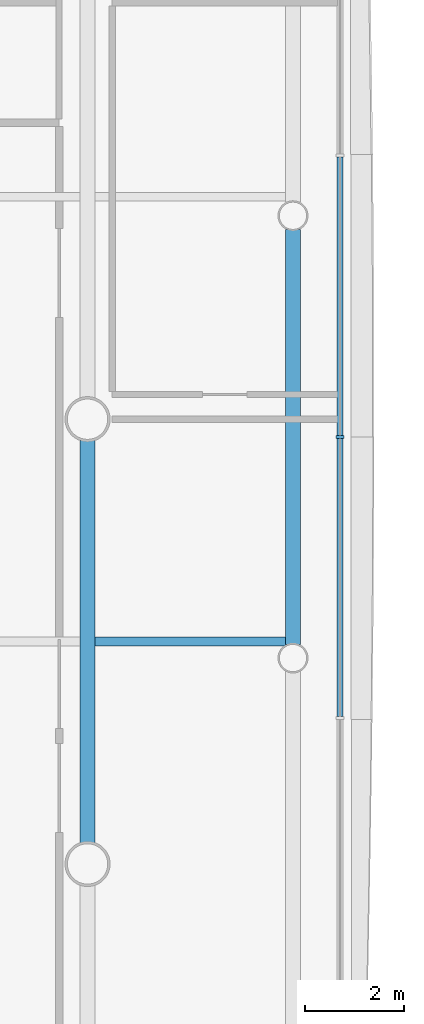
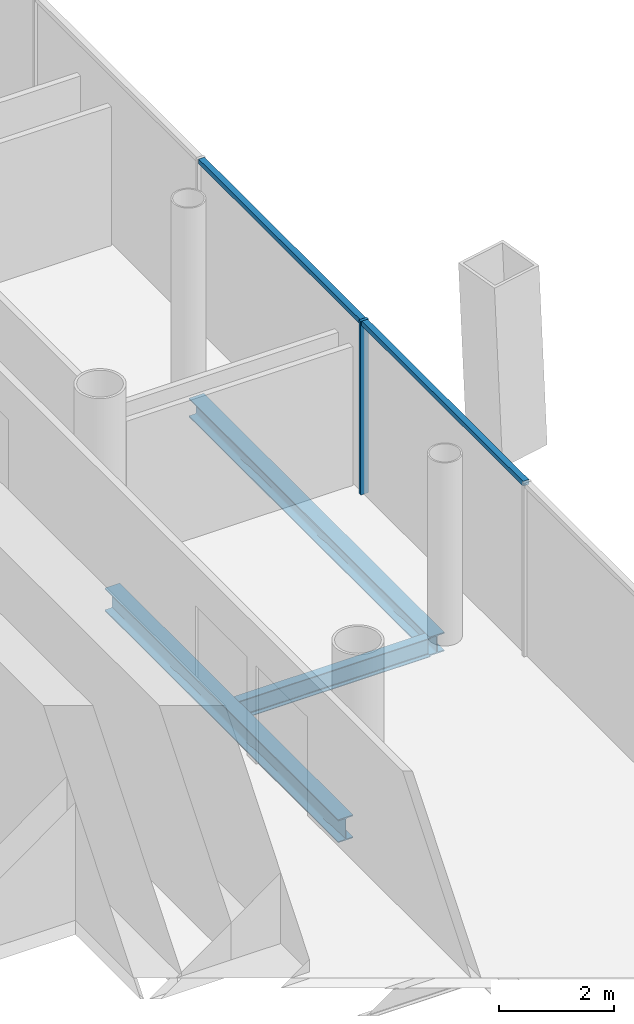
# One storey, part 6 of 20: 3 beams, 3 members, 1 element without a shape of its own.
"""IFC4 building model written with IfcOpenShell, lengths in metres."""

from ifc_helpers import new_model, si_unit, direction, frame, origin, origin_2d, place, context, subcontext, project, spatial, rectangle, i_section, extrude, material, material_profile, profile_set, type_object, element, aggregate, save


model = new_model("IFC4")

# Units and contexts
model_context = context("Model", 3, precision=1e-05, world=origin(), true_north=direction((0.0, 1.0)))
body_context = subcontext(model_context, "Body", "Model", "MODEL_VIEW")
ifc_project = project(units=[si_unit("LENGTHUNIT", "METRE"), si_unit("AREAUNIT", "SQUARE_METRE"), si_unit("VOLUMEUNIT", "CUBIC_METRE"), si_unit("PLANEANGLEUNIT", "RADIAN"), si_unit("MASSUNIT", "GRAM", prefix="KILO")], contexts=[model_context])

# Site, building, storey
site_placement = place(None, origin())
site = spatial("IfcSite", under=ifc_project, at=site_placement, CompositionType="ELEMENT")
building_placement = place(site_placement, origin())
building = spatial("IfcBuilding", under=site, at=building_placement, Name="Tskaro Facet Tower", CompositionType="ELEMENT")
storey_placement = place(building_placement, frame((0.0, 0.0, 49.800048828125)))
storey = spatial("IfcBuildingStorey", under=building, at=storey_placement, Name="L11", CompositionType="ELEMENT", Elevation=49.800048828125)

# Curtain wall, members
ifc_material_1 = material(Name="Bronze anodised aluminium 6063-T6", Category="aluminium")
curtain_wall_type = type_object("IfcCurtainWallType", Name="Bronze office curtain wall (FW1)", PredefinedType="NOTDEFINED", material=ifc_material_1)
curtain_wall_placement = place(storey_placement, origin())
curtain_wall = element("IfcCurtainWall", 1, at=curtain_wall_placement, inside=storey, type_object=curtain_wall_type, Name="FW1 east facet L11", PredefinedType="NOTDEFINED")
ifc_material_profile_1 = material_profile(ifc_material_1, rectangle(XDim=0.06005859375, YDim=0.159912109375, at=origin_2d()), Name="Mullion 60x160")
ifc_profile_set_1 = profile_set([ifc_material_profile_1], Name="Bronze anodised aluminium 6063-T6")
member_type_1 = type_object("IfcMemberType", Name="FW1 bronze mullion 60x160", PredefinedType="MULLION", material=ifc_profile_set_1)
member_1_placement = place(storey_placement, frame((23.10693359375, -0.3583984375, 0.0), z_axis=(0.0, 0.0, 1.0), x_axis=(0.0, 1.0, 0.0)))
member_1 = element("IfcMember", 2, at=member_1_placement, type_object=member_type_1, Name="FW1 east mullion 4", PredefinedType="MULLION", context=body_context, shape_type="SweptSolid", body=[
    extrude(rectangle(XDim=0.06005859375, YDim=0.159912109375, at=origin_2d()), origin(), (0.0, 0.0, 1.0), 3.699951171875),
])
ifc_material_profile_2 = material_profile(ifc_material_1, rectangle(XDim=0.1201171875, YDim=0.10009765625, at=origin_2d()), Name="Transom 120x100")
ifc_profile_set_2 = profile_set([ifc_material_profile_2], Name="Bronze anodised aluminium 6063-T6")
member_type_2 = type_object("IfcMemberType", Name="FW1 bronze transom 120x100", PredefinedType="USERDEFINED", material=ifc_profile_set_2)
member_2_placement = place(storey_placement, frame((23.10693359375, -6.019287109375, 3.64990234375), z_axis=(0.0, 1.0, 0.0), x_axis=(-1.0, 0.0, 0.0)))
member_2 = element("IfcMember", 3, at=member_2_placement, type_object=member_type_2, Name="FW1 east transom 4.1", ObjectType="TRANSOM", PredefinedType="USERDEFINED", context=body_context, shape_type="SweptSolid", body=[
    extrude(rectangle(XDim=0.1201171875, YDim=0.10009765625, at=origin_2d()), origin(), (0.0, 0.0, 1.0), 5.630859375),
])
member_3_placement = place(storey_placement, frame((23.10693359375, -0.32861328125, 3.64990234375), z_axis=(0.0, 1.0, 0.0), x_axis=(-1.0, 0.0, 0.0)))
member_3 = element("IfcMember", 4, at=member_3_placement, type_object=member_type_2, Name="FW1 east transom 5.1", ObjectType="TRANSOM", PredefinedType="USERDEFINED", context=body_context, shape_type="SweptSolid", body=[
    extrude(rectangle(XDim=0.1201171875, YDim=0.10009765625, at=origin_2d()), origin(), (0.0, 0.0, 1.0), 5.631103515625),
])
aggregate(curtain_wall, [member_1, member_2, member_3])

# Beams
ifc_material_2 = material(Name="Steel S355J2", Category="steel")
ifc_material_profile_3 = material_profile(ifc_material_2, i_section(OverallWidth=0.300048828125, OverallDepth=0.39990234375, WebThickness=0.013427734375, FlangeThickness=0.02392578125, FilletRadius=0.027099609375, at=origin_2d()), Name="HE 400 B")
ifc_profile_set_3 = profile_set([ifc_material_profile_3], Name="Steel S355J2")
beam_type_1 = type_object("IfcBeamType", Name="HE 400 B ring beam", PredefinedType="BEAM", material=ifc_profile_set_3)
beam_1_placement = place(storey_placement, frame((22.156982421875, -4.55810546875, -0.340087890625), z_axis=(0.0, 1.0, 0.0), x_axis=(-1.0, 0.0, 0.0)))
element("IfcBeam", 5, at=beam_1_placement, inside=storey, type_object=beam_type_1, Name="HE 400 B EB10-1", PredefinedType="BEAM", context=body_context, shape_type="SweptSolid", body=[
    extrude(i_section(OverallWidth=0.300048828125, OverallDepth=0.39990234375, WebThickness=0.013427734375, FlangeThickness=0.02392578125, FilletRadius=0.027099609375, at=origin_2d()), origin(), (0.0, 0.0, 1.0), 8.399169921875),
])
ifc_material_profile_4 = material_profile(ifc_material_2, i_section(OverallWidth=0.300048828125, OverallDepth=0.489990234375, WebThickness=0.011962890625, FlangeThickness=0.02294921875, FilletRadius=0.027099609375, at=origin_2d()), Name="HE 500 A")
ifc_profile_set_4 = profile_set([ifc_material_profile_4], Name="Steel S355J2")
beam_type_2 = type_object("IfcBeamType", Name="HE 500 A girder", PredefinedType="BEAM", material=ifc_profile_set_4)
beam_2_placement = place(storey_placement, frame((18.0, -8.57275390625, -0.385009765625), z_axis=(0.0, 1.0, 0.0), x_axis=(-1.0, 0.0, 0.0)))
element("IfcBeam", 6, at=beam_2_placement, inside=storey, type_object=beam_type_2, Name="HE 500 A GB6-3-1", PredefinedType="BEAM", context=body_context, shape_type="SweptSolid", body=[
    extrude(i_section(OverallWidth=0.300048828125, OverallDepth=0.489990234375, WebThickness=0.011962890625, FlangeThickness=0.02294921875, FilletRadius=0.027099609375, at=origin_2d()), origin(), (0.0, 0.0, 1.0), 8.1455078125),
])
ifc_material_profile_5 = material_profile(ifc_material_2, i_section(OverallWidth=0.179931640625, OverallDepth=0.39990234375, WebThickness=0.008544921875, FlangeThickness=0.013427734375, FilletRadius=0.02099609375, at=origin_2d()), Name="IPE 400")
ifc_profile_set_5 = profile_set([ifc_material_profile_5], Name="Steel S355J2")
beam_type_3 = type_object("IfcBeamType", Name="IPE 400 secondary beam", PredefinedType="BEAM", material=ifc_profile_set_5)
beam_3_placement = place(storey_placement, frame((18.14990234375, -4.5, -0.340087890625), z_axis=(1.0, 0.0, 0.0), x_axis=(0.0, 1.0, 0.0)))
element("IfcBeam", 7, at=beam_3_placement, inside=storey, type_object=beam_type_3, Name="IPE 400 SB3a-4-1", PredefinedType="BEAM", context=body_context, shape_type="SweptSolid", body=[
    extrude(i_section(OverallWidth=0.179931640625, OverallDepth=0.39990234375, WebThickness=0.008544921875, FlangeThickness=0.013427734375, FilletRadius=0.02099609375, at=origin_2d()), origin(), (0.0, 0.0, 1.0), 3.857177734375),
])

save(model, "model.ifc")
